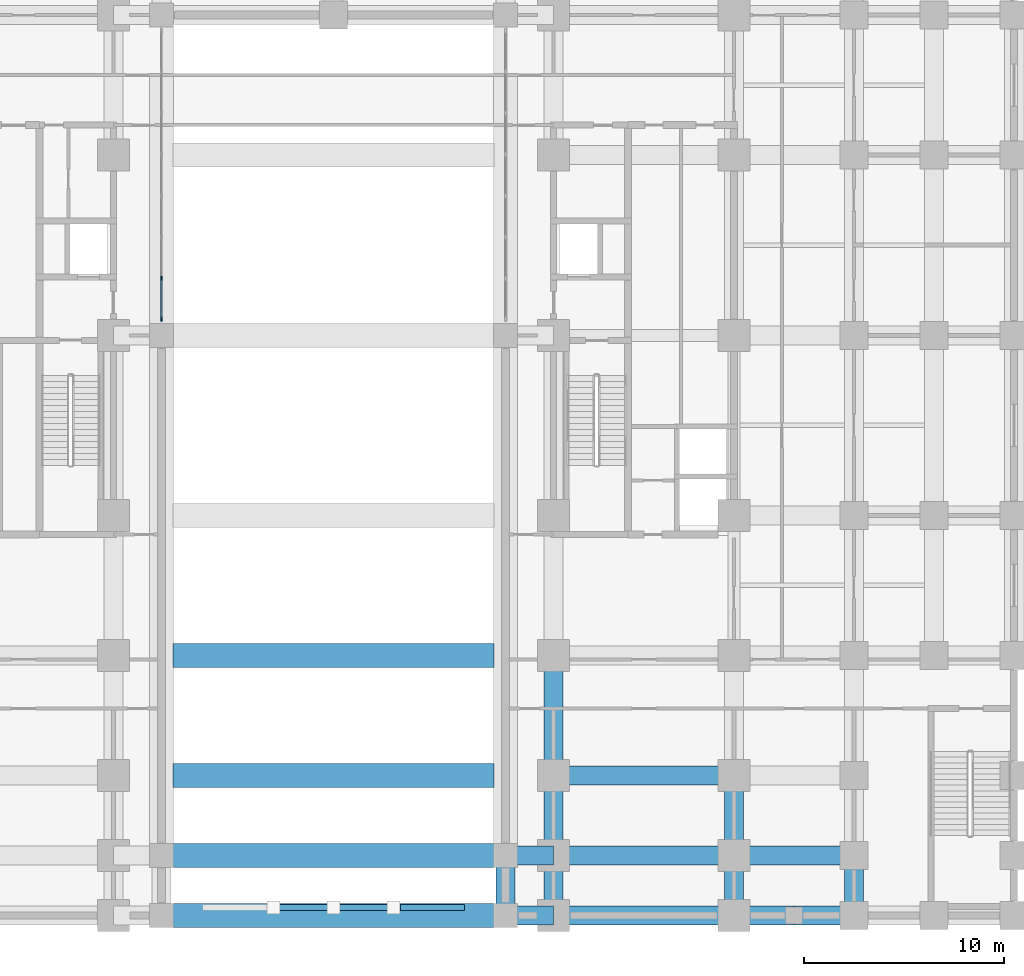
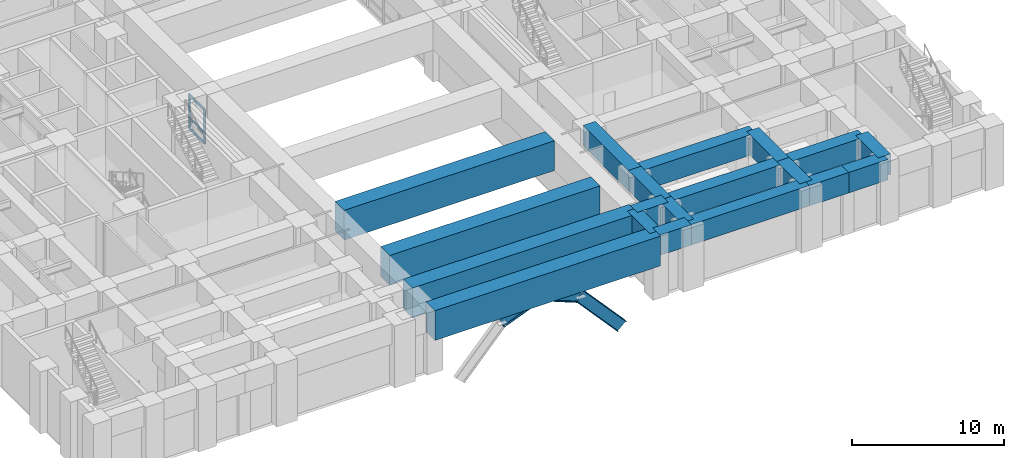
# One storey, part 2 of 24: 19 beams, 8 members, 1 element without a shape of its own.
"""IFC4 building model written with IfcOpenShell, lengths in metres."""

from ifc_helpers import new_model, si_unit, direction, frame, origin, origin_2d, place, context, subcontext, project, spatial, rectangle, i_section, extrude, material, material_profile, profile_set, type_object, element, aggregate, save


model = new_model("IFC4")

# Units and contexts
model_context = context("Model", 3, precision=1e-05, world=origin(), true_north=direction((0.0, 1.0)))
body_context = subcontext(model_context, "Body", "Model", "MODEL_VIEW")
ifc_project = project(units=[si_unit("LENGTHUNIT", "METRE"), si_unit("AREAUNIT", "SQUARE_METRE"), si_unit("VOLUMEUNIT", "CUBIC_METRE"), si_unit("PLANEANGLEUNIT", "RADIAN"), si_unit("MASSUNIT", "GRAM", prefix="KILO")], contexts=[model_context])

# Site, building, storey
site_placement = place(None, origin())
site = spatial("IfcSite", under=ifc_project, at=site_placement, CompositionType="ELEMENT")
building_placement = place(site_placement, origin())
building = spatial("IfcBuilding", under=site, at=building_placement, Name="Zulmaris Gate Convention Tower", CompositionType="ELEMENT")
storey_placement = place(building_placement, frame((0.0, 0.0, 16.320068359375)))
storey = spatial("IfcBuildingStorey", under=building, at=storey_placement, Name="L03", CompositionType="ELEMENT", Elevation=16.320068359375)

# Beams
ifc_material_1 = material(Name="Concrete C80/95", Category="concrete")
ifc_material_profile_1 = material_profile(ifc_material_1, rectangle(XDim=0.949951171875, YDim=1.64990234375, at=origin_2d()), Name="RC TRANSFER 950x1650")
ifc_profile_set_1 = profile_set([ifc_material_profile_1], Name="Concrete C80/95")
beam_type_1 = type_object("IfcBeamType", Name="BM-XFER1650", PredefinedType="BEAM", material=ifc_profile_set_1)
beam_1_placement = place(storey_placement, frame((8.60009765625, -29.0, 4.1650390625), z_axis=(1.0, 0.0, 0.0), x_axis=(0.0, 1.0, 0.0)))
element("IfcBeam", 1, at=beam_1_placement, inside=storey, type_object=beam_type_1, Name="L03 Beam XFRNGX-L03--29.0-8", PredefinedType="BEAM", context=body_context, shape_type="SweptSolid", body=[
    extrude(rectangle(XDim=0.949951171875, YDim=1.64990234375, at=origin_2d()), origin(), (0.0, 0.0, 1.0), 2.39990234375),
])
beam_2_placement = place(storey_placement, frame((11.0, -29.0, 4.1650390625), z_axis=(1.0, 0.0, 0.0), x_axis=(0.0, 1.0, 0.0)))
element("IfcBeam", 2, at=beam_2_placement, inside=storey, type_object=beam_type_1, Name="L03 Beam XFRNGX-L03--29.0-9", PredefinedType="BEAM", context=body_context, shape_type="SweptSolid", body=[
    extrude(rectangle(XDim=0.949951171875, YDim=1.64990234375, at=origin_2d()), origin(), (0.0, 0.0, 1.0), 9.0),
])
for number, where, z_axis, x_axis, name in (
    (3, (20.0, -29.0, 4.1650390625), (1.0, 0.0, 0.0), (0.0, 1.0, 0.0), "L03 Beam XFRNGX-L03--29.0-10"),
    (4, (23.0, -29.0, 4.1650390625), (1.0, 0.0, 0.0), (0.0, 1.0, 0.0), "L03 Beam XFRNGX-L03--29.0-11"),
    (5, (8.60009765625, -29.0, 4.1650390625), (0.0, 1.0, 0.0), (-1.0, 0.0, 0.0), "L03 Beam XFSPY-L03-+8.6-1"),
    (6, (11.0, -29.0, 4.1650390625), (0.0, 1.0, 0.0), (-1.0, 0.0, 0.0), "L03 Beam XFSPY-L03-+11.0-1"),
):
    element("IfcBeam", number, at=place(storey_placement, frame(where, z_axis=z_axis, x_axis=x_axis)), inside=storey, type_object=beam_type_1, Name=name, PredefinedType="BEAM", context=body_context, shape_type="SweptSolid", body=[
        extrude(rectangle(XDim=0.949951171875, YDim=1.64990234375, at=origin_2d()), origin(), (0.0, 0.0, 1.0), 3.0),
    ])
beam_3_placement = place(storey_placement, frame((11.0, -26.0, 4.1650390625), z_axis=(0.0, 1.0, 0.0), x_axis=(-1.0, 0.0, 0.0)))
element("IfcBeam", 7, at=beam_3_placement, inside=storey, type_object=beam_type_1, Name="L03 Beam XFSPY-L03-+11.0-2", PredefinedType="BEAM", context=body_context, shape_type="SweptSolid", body=[
    extrude(rectangle(XDim=0.949951171875, YDim=1.64990234375, at=origin_2d()), origin(), (0.0, 0.0, 1.0), 4.0),
])
beam_4_placement = place(storey_placement, frame((11.0, -22.0, 4.1650390625), z_axis=(0.0, 1.0, 0.0), x_axis=(-1.0, 0.0, 0.0)))
element("IfcBeam", 8, at=beam_4_placement, inside=storey, type_object=beam_type_1, Name="L03 Beam XFSPY-L03-+11.0-3", PredefinedType="BEAM", context=body_context, shape_type="SweptSolid", body=[
    extrude(rectangle(XDim=0.949951171875, YDim=1.64990234375, at=origin_2d()), origin(), (0.0, 0.0, 1.0), 6.0),
])
beam_5_placement = place(storey_placement, frame((20.0, -29.0, 4.1650390625), z_axis=(0.0, 1.0, 0.0), x_axis=(-1.0, 0.0, 0.0)))
element("IfcBeam", 9, at=beam_5_placement, inside=storey, type_object=beam_type_1, Name="L03 Beam XFSPY-L03-+20.0-1", PredefinedType="BEAM", context=body_context, shape_type="SweptSolid", body=[
    extrude(rectangle(XDim=0.949951171875, YDim=1.64990234375, at=origin_2d()), origin(), (0.0, 0.0, 1.0), 3.0),
])
beam_6_placement = place(storey_placement, frame((20.0, -26.0, 4.1650390625), z_axis=(0.0, 1.0, 0.0), x_axis=(-1.0, 0.0, 0.0)))
element("IfcBeam", 10, at=beam_6_placement, inside=storey, type_object=beam_type_1, Name="L03 Beam XFSPY-L03-+20.0-2", PredefinedType="BEAM", context=body_context, shape_type="SweptSolid", body=[
    extrude(rectangle(XDim=0.949951171875, YDim=1.64990234375, at=origin_2d()), origin(), (0.0, 0.0, 1.0), 4.0),
])
beam_7_placement = place(storey_placement, frame((26.0, -29.0, 4.1650390625), z_axis=(0.0, 1.0, 0.0), x_axis=(-1.0, 0.0, 0.0)))
element("IfcBeam", 11, at=beam_7_placement, inside=storey, type_object=beam_type_1, Name="L03 Beam XFSPY-L03-+26.0-1", PredefinedType="BEAM", context=body_context, shape_type="SweptSolid", body=[
    extrude(rectangle(XDim=0.949951171875, YDim=1.64990234375, at=origin_2d()), origin(), (0.0, 0.0, 1.0), 3.0),
])
beam_8_placement = place(storey_placement, frame((8.60009765625, -26.0, 4.1650390625), z_axis=(1.0, 0.0, 0.0), x_axis=(0.0, 1.0, 0.0)))
element("IfcBeam", 12, at=beam_8_placement, inside=storey, type_object=beam_type_1, Name="L03 Beam XFSPX-L03--26.0-6", PredefinedType="BEAM", context=body_context, shape_type="SweptSolid", body=[
    extrude(rectangle(XDim=0.949951171875, YDim=1.64990234375, at=origin_2d()), origin(), (0.0, 0.0, 1.0), 2.39990234375),
])
beam_9_placement = place(storey_placement, frame((11.0, -26.0, 4.1650390625), z_axis=(1.0, 0.0, 0.0), x_axis=(0.0, 1.0, 0.0)))
element("IfcBeam", 13, at=beam_9_placement, inside=storey, type_object=beam_type_1, Name="L03 Beam XFSPX-L03--26.0-7", PredefinedType="BEAM", context=body_context, shape_type="SweptSolid", body=[
    extrude(rectangle(XDim=0.949951171875, YDim=1.64990234375, at=origin_2d()), origin(), (0.0, 0.0, 1.0), 9.0),
])
beam_10_placement = place(storey_placement, frame((20.0, -26.0, 4.1650390625), z_axis=(1.0, 0.0, 0.0), x_axis=(0.0, 1.0, 0.0)))
element("IfcBeam", 14, at=beam_10_placement, inside=storey, type_object=beam_type_1, Name="L03 Beam XFSPX-L03--26.0-8", PredefinedType="BEAM", context=body_context, shape_type="SweptSolid", body=[
    extrude(rectangle(XDim=0.949951171875, YDim=1.64990234375, at=origin_2d()), origin(), (0.0, 0.0, 1.0), 6.0),
])
beam_11_placement = place(storey_placement, frame((11.0, -22.0, 4.1650390625), z_axis=(1.0, 0.0, 0.0), x_axis=(0.0, 1.0, 0.0)))
element("IfcBeam", 15, at=beam_11_placement, inside=storey, type_object=beam_type_1, Name="L03 Beam XFSPX-L03--22.0-7", PredefinedType="BEAM", context=body_context, shape_type="SweptSolid", body=[
    extrude(rectangle(XDim=0.949951171875, YDim=1.64990234375, at=origin_2d()), origin(), (0.0, 0.0, 1.0), 9.0),
])
ifc_material_profile_2 = material_profile(ifc_material_1, rectangle(XDim=1.199951171875, YDim=2.39990234375, at=origin_2d()), Name="RC TRANSFER 1200x2400")
ifc_profile_set_2 = profile_set([ifc_material_profile_2], Name="Concrete C80/95")
beam_type_2 = type_object("IfcBeamType", Name="BM-XFER2400", PredefinedType="BEAM", material=ifc_profile_set_2)
for number, where, z_axis, x_axis, name in (
    (16, (-8.60009765625, -29.0, 3.7900390625), (1.0, 0.0, 0.0), (0.0, 1.0, 0.0), "L03 Beam XFRNGX-L03--29.0-7"),
    (17, (-8.60009765625, -26.0, 3.7900390625), (1.0, 0.0, 0.0), (0.0, 1.0, 0.0), "L03 Beam XFSPX-L03--26.0-5"),
):
    element("IfcBeam", number, at=place(storey_placement, frame(where, z_axis=z_axis, x_axis=x_axis)), inside=storey, type_object=beam_type_2, Name=name, PredefinedType="BEAM", context=body_context, shape_type="SweptSolid", body=[
        extrude(rectangle(XDim=1.199951171875, YDim=2.39990234375, at=origin_2d()), origin(), (0.0, 0.0, 1.0), 17.2001953125),
    ])
for number, where, z_axis, x_axis, name in (
    (18, (-8.011962890625, -22.0, 3.7900390625), (1.0, 0.0, 0.0), (0.0, 1.0, 0.0), "L03 Beam XFSPX-L03--22.0-5"),
    (19, (-8.011962890625, -16.0, 3.7900390625), (1.0, 0.0, 0.0), (0.0, 1.0, 0.0), "L03 Beam XFSPX-L03--16.0-6"),
):
    element("IfcBeam", number, at=place(storey_placement, frame(where, z_axis=z_axis, x_axis=x_axis)), inside=storey, type_object=beam_type_2, Name=name, PredefinedType="BEAM", context=body_context, shape_type="SweptSolid", body=[
        extrude(rectangle(XDim=1.199951171875, YDim=2.39990234375, at=origin_2d()), origin(), (0.0, 0.0, 1.0), 16.02392578125),
    ])

# Members
ifc_material_2 = material(Name="Steel S460", Category="steel")
ifc_material_profile_3 = material_profile(ifc_material_2, i_section(OverallWidth=0.302001953125, OverallDepth=0.909912109375, WebThickness=0.02099609375, FlangeThickness=0.0400390625, FilletRadius=0.030029296875, at=origin_2d()), Name="HEM 900")
ifc_profile_set_3 = profile_set([ifc_material_profile_3], Name="Steel S460")
member_type_1 = type_object("IfcMemberType", Name="CH-HEM900", PredefinedType="CHORD", material=ifc_profile_set_3)
for number, where, z_axis, x_axis, name in (
    (20, (-3.0, -28.60009765625, 1.530029296875), (0.928481901832, 0.0, 0.371377648723), (0.0, 1.0, 0.0), "Pishtaq Arch Rib S-3"),
    (21, (0.0, -28.60009765625, 2.72998046875), (0.928481901832, 0.0, -0.371377648723), (0.0, 1.0, 0.0), "Pishtaq Arch Rib S-4"),
):
    element("IfcMember", number, at=place(storey_placement, frame(where, z_axis=z_axis, x_axis=x_axis)), inside=storey, type_object=member_type_1, Name=name, PredefinedType="CHORD", context=body_context, shape_type="SweptSolid", body=[
        extrude(i_section(OverallWidth=0.302001953125, OverallDepth=0.909912109375, WebThickness=0.02099609375, FlangeThickness=0.0400390625, FilletRadius=0.030029296875, at=origin_2d()), origin(), (0.0, 0.0, 1.0), 3.231201171875),
    ])
member_1_placement = place(storey_placement, frame((3.0, -28.60009765625, 1.530029296875), z_axis=(0.669531801029, 0.0, -0.742783391986), x_axis=(0.0, 1.0, 0.0)))
element("IfcMember", 22, at=member_1_placement, inside=storey, type_object=member_type_1, Name="Pishtaq Arch Rib S-5", PredefinedType="CHORD", context=body_context, shape_type="SweptSolid", body=[
    extrude(i_section(OverallWidth=0.302001953125, OverallDepth=0.909912109375, WebThickness=0.02099609375, FlangeThickness=0.0400390625, FilletRadius=0.030029296875, at=origin_2d()), origin(), (0.0, 0.0, 1.0), 4.779296875),
])

# Curtain wall, members
ifc_material_3 = material(Name="Anodised Aluminium", Category="aluminium")
curtain_wall_type = type_object("IfcCurtainWallType", Name="CW-02", PredefinedType="NOTDEFINED", material=ifc_material_3)
curtain_wall_placement = place(storey_placement, origin())
curtain_wall = element("IfcCurtainWall", 23, at=curtain_wall_placement, inside=storey, type_object=curtain_wall_type, Name="CW-02 CW02-L03-WL_0", PredefinedType="NOTDEFINED")
ifc_material_profile_4 = material_profile(ifc_material_3, rectangle(XDim=0.090087890625, YDim=0.219970703125, at=origin_2d()), Name="ALU MULLION 90x220")
ifc_profile_set_4 = profile_set([ifc_material_profile_4], Name="Anodised Aluminium")
member_type_2 = type_object("IfcMemberType", Name="CW-02-MULL", PredefinedType="MULLION", material=ifc_profile_set_4)
member_2_placement = place(storey_placement, frame((-8.60009765625, 0.804931640625, 0.0), z_axis=(0.0, 0.0, 1.0), x_axis=(-1.0, 0.0, 0.0)))
member_2 = element("IfcMember", 24, at=member_2_placement, type_object=member_type_2, Name="CW-02 mullion 1", PredefinedType="MULLION", context=body_context, shape_type="SweptSolid", body=[
    extrude(rectangle(XDim=0.090087890625, YDim=0.219970703125, at=origin_2d()), origin(), (0.0, 0.0, 1.0), 2.781982421875),
])
member_3_placement = place(storey_placement, frame((-8.60009765625, 2.82861328125, 0.0), z_axis=(0.0, 0.0, 1.0), x_axis=(-1.0, 0.0, 0.0)))
member_3 = element("IfcMember", 25, at=member_3_placement, type_object=member_type_2, Name="CW-02 mullion 2", PredefinedType="MULLION", context=body_context, shape_type="SweptSolid", body=[
    extrude(rectangle(XDim=0.090087890625, YDim=0.219970703125, at=origin_2d()), origin(), (0.0, 0.0, 1.0), 2.781982421875),
])
ifc_material_profile_5 = material_profile(ifc_material_3, rectangle(XDim=0.090087890625, YDim=0.179931640625, at=origin_2d()), Name="ALU TRANSOM 90x180")
ifc_profile_set_5 = profile_set([ifc_material_profile_5], Name="Anodised Aluminium")
member_type_3 = type_object("IfcMemberType", Name="CW-02-TRAN", PredefinedType="USERDEFINED", material=ifc_profile_set_5)
member_4_placement = place(storey_placement, frame((-8.60009765625, 0.85009765625, 0.044921875), z_axis=(0.0, 1.0, 0.0), x_axis=(-1.0, 0.0, 0.0)))
member_4 = element("IfcMember", 26, at=member_4_placement, type_object=member_type_3, Name="CW-02 transom 1.1", ObjectType="TRANSOM", PredefinedType="USERDEFINED", context=body_context, shape_type="SweptSolid", body=[
    extrude(rectangle(XDim=0.090087890625, YDim=0.179931640625, at=origin_2d()), origin(), (0.0, 0.0, 1.0), 1.93359375),
])
member_5_placement = place(storey_placement, frame((-8.60009765625, 0.85009765625, 0.85009765625), z_axis=(0.0, 1.0, 0.0), x_axis=(-1.0, 0.0, 0.0)))
member_5 = element("IfcMember", 27, at=member_5_placement, type_object=member_type_3, Name="CW-02 transom 1.2", ObjectType="TRANSOM", PredefinedType="USERDEFINED", context=body_context, shape_type="SweptSolid", body=[
    extrude(rectangle(XDim=0.090087890625, YDim=0.179931640625, at=origin_2d()), origin(), (0.0, 0.0, 1.0), 1.93359375),
])
member_6_placement = place(storey_placement, frame((-8.60009765625, 0.85009765625, 2.73681640625), z_axis=(0.0, 1.0, 0.0), x_axis=(-1.0, 0.0, 0.0)))
member_6 = element("IfcMember", 28, at=member_6_placement, type_object=member_type_3, Name="CW-02 transom 1.3", ObjectType="TRANSOM", PredefinedType="USERDEFINED", context=body_context, shape_type="SweptSolid", body=[
    extrude(rectangle(XDim=0.090087890625, YDim=0.179931640625, at=origin_2d()), origin(), (0.0, 0.0, 1.0), 1.93359375),
])
aggregate(curtain_wall, [member_2, member_3, member_4, member_5, member_6])

save(model, "model.ifc")
